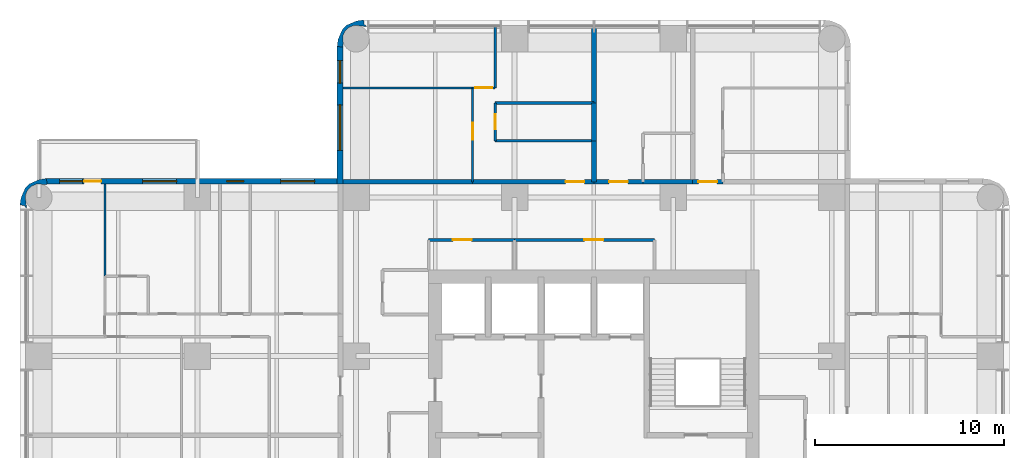
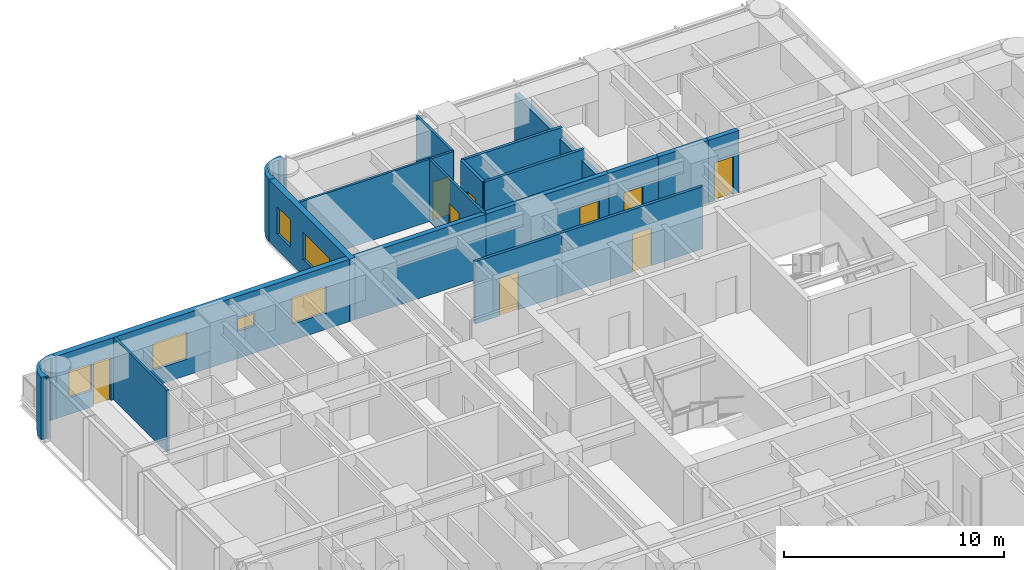
# One storey, part 9 of 11: 22 walls, 9 doors, 6 windows, 15 openings.
"""IFC4 building model written with IfcOpenShell, lengths in metres."""

from ifc_helpers import new_model, si_unit, direction, frame, frame_2d, origin, place, context, subcontext, project, spatial, polyline, rectangle, outline, extrude, material, layer, layer_set, type_object, element, fill, save


model = new_model("IFC4")

# Units and contexts
model_context = context("Model", 3, precision=1e-05, world=origin(), true_north=direction((0.0, 1.0)))
body_context = subcontext(model_context, "Body", "Model", "MODEL_VIEW")
ifc_project = project(units=[si_unit("LENGTHUNIT", "METRE"), si_unit("AREAUNIT", "SQUARE_METRE"), si_unit("VOLUMEUNIT", "CUBIC_METRE"), si_unit("PLANEANGLEUNIT", "RADIAN"), si_unit("MASSUNIT", "GRAM", prefix="KILO")], contexts=[model_context])

# Site, building, storey
site_placement = place(None, origin())
site = spatial("IfcSite", under=ifc_project, at=site_placement, CompositionType="ELEMENT")
building_placement = place(site_placement, origin())
building = spatial("IfcBuilding", under=site, at=building_placement, Name="Torre Alcanfor", CompositionType="ELEMENT")
storey_placement = place(building_placement, frame((0.0, 0.0, 204.89990234375)))
storey = spatial("IfcBuildingStorey", under=building, at=storey_placement, Name="L53", CompositionType="ELEMENT", Elevation=204.89990234375)

# Wall, opening, door
ifc_material_1 = material(Name="Concrete block masonry, hollow blocks NMX-C-404 9 MPa", Category="masonry")
ifc_layer_1 = layer(ifc_material_1, 0.25)
ifc_layer_set_1 = layer_set([ifc_layer_1], Name="Apartment entrance wall 250 EI 60")
wall_type_1 = type_object("IfcWallType", Name="Apartment entrance wall 250 EI 60", PredefinedType="PARTITIONING", material=ifc_layer_set_1)
wall_1_placement = place(storey_placement, frame((22.970947265625, 42.824951171875, 0.0), z_axis=(0.0, 0.0, 1.0), x_axis=(1.0, 0.0, 0.0)))
wall_1 = element("IfcWall", 1, at=wall_1_placement, inside=storey, type_object=wall_type_1, Name="Partition L53-CORR / L53-N1-LIVING", PredefinedType="PARTITIONING", context=body_context, shape_type="SweptSolid", body=[
    extrude(rectangle(XDim=6.428955078125, YDim=0.25, at=frame_2d((3.21435546875, 0.0))), origin(), (0.0, 0.0, 1.0), 3.4501953125),
])
opening_1_placement = place(wall_1_placement, frame((4.928955078125, 0.0, 0.0)))
opening_1 = element("IfcOpeningElement", 2, at=opening_1_placement, cuts=wall_1, Name="Opening D-A1", PredefinedType="OPENING", context=body_context, shape_type="SweptSolid", body=[
    extrude(rectangle(XDim=1.0, YDim=2.10009765625, at=frame_2d((0.5, 1.050048828125))), frame((0.0, 0.135009765625, 0.0), z_axis=(0.0, -1.0, 0.0), x_axis=(1.0, 0.0, 0.0)), (0.0, 0.0, 1.0), 0.27001953125),
])
ifc_material_2 = material(Name="Galvanised steel sheet ASTM A653", Category="steel")
door_type_1 = type_object("IfcDoorType", Name="Apartment entrance door FD60 1000x2100", OperationType="SINGLE_SWING_LEFT", PredefinedType="DOOR", material=ifc_material_2)
door_1_placement = place(opening_1_placement, origin())
door_1 = element("IfcDoor", 3, at=door_1_placement, inside=storey, type_object=door_type_1, Name="Apartment entrance L53-N1", OperationType="SINGLE_SWING_RIGHT", OverallHeight=2.10009765625, OverallWidth=1.0, PredefinedType="DOOR", context=body_context, shape_type="SweptSolid", body=[
    extrude(rectangle(XDim=1.0, YDim=2.10009765625, at=frame_2d((0.5, 1.050048828125))), frame((0.0, 0.02490234375, 0.0), z_axis=(0.0, -1.0, 0.0), x_axis=(1.0, 0.0, 0.0)), (0.0, 0.0, 1.0), 0.050048828125),
])
fill(opening_1, door_1)

# Wall
wall_2_placement = place(storey_placement, frame((16.10009765625, 42.824951171875, 0.0), z_axis=(0.0, 0.0, 1.0), x_axis=(1.0, 0.0, 0.0)))
element("IfcWall", 4, at=wall_2_placement, inside=storey, type_object=wall_type_1, Name="Partition L53-CORR / L53-N1-BED2", PredefinedType="PARTITIONING", context=body_context, shape_type="SweptSolid", body=[
    extrude(rectangle(XDim=6.870849609375, YDim=0.25, at=frame_2d((3.435546875, 0.0))), origin(), (0.0, 0.0, 1.0), 3.4501953125),
])

# Wall, opening, door
wall_3_placement = place(storey_placement, frame((29.39990234375, 42.824951171875, 0.0), z_axis=(0.0, 0.0, 1.0), x_axis=(1.0, 0.0, 0.0)))
wall_3 = element("IfcWall", 5, at=wall_3_placement, inside=storey, type_object=wall_type_1, Name="Partition L53-CORR / L53-N2A-STUDIO", PredefinedType="PARTITIONING", context=body_context, shape_type="SweptSolid", body=[
    extrude(rectangle(XDim=2.60009765625, YDim=0.25, at=frame_2d((1.300048828125, 0.0))), origin(), (0.0, 0.0, 1.0), 3.4501953125),
])
opening_2_placement = place(wall_3_placement, frame((0.800048828125, 0.0, 0.0)))
opening_2 = element("IfcOpeningElement", 6, at=opening_2_placement, cuts=wall_3, Name="Opening D-A1", PredefinedType="OPENING", context=body_context, shape_type="SweptSolid", body=[
    extrude(rectangle(XDim=1.0, YDim=2.10009765625, at=frame_2d((0.5, 1.050048828125))), frame((0.0, 0.135009765625, 0.0), z_axis=(0.0, -1.0, 0.0), x_axis=(1.0, 0.0, 0.0)), (0.0, 0.0, 1.0), 0.27001953125),
])
door_2_placement = place(opening_2_placement, origin())
door_2 = element("IfcDoor", 7, at=door_2_placement, inside=storey, type_object=door_type_1, Name="Apartment entrance L53-N2A", OperationType="SINGLE_SWING_LEFT", OverallHeight=2.10009765625, OverallWidth=1.0, PredefinedType="DOOR", context=body_context, shape_type="SweptSolid", body=[
    extrude(rectangle(XDim=1.0, YDim=2.10009765625, at=frame_2d((0.5, 1.050048828125))), frame((0.0, 0.02490234375, 0.0), z_axis=(0.0, -1.0, 0.0), x_axis=(1.0, 0.0, 0.0)), (0.0, 0.0, 1.0), 0.050048828125),
])
fill(opening_2, door_2)

# Wall
wall_4_placement = place(storey_placement, frame((32.0, 42.824951171875, 0.0), z_axis=(0.0, 0.0, 1.0), x_axis=(1.0, 0.0, 0.0)))
element("IfcWall", 8, at=wall_4_placement, inside=storey, type_object=wall_type_1, Name="Partition L53-CORR / L53-N2A-BATH", PredefinedType="PARTITIONING", context=body_context, shape_type="SweptSolid", body=[
    extrude(rectangle(XDim=2.62890625, YDim=0.25, at=frame_2d((1.314453125, 0.0))), origin(), (0.0, 0.0, 1.0), 3.4501953125),
])

# Wall, opening, door
wall_5_placement = place(storey_placement, frame((34.62890625, 42.824951171875, 0.0), z_axis=(0.0, 0.0, 1.0), x_axis=(1.0, 0.0, 0.0)))
wall_5 = element("IfcWall", 9, at=wall_5_placement, inside=storey, type_object=wall_type_1, Name="Partition L53-CORR / L53-N2B-LIVING", PredefinedType="PARTITIONING", context=body_context, shape_type="SweptSolid", body=[
    extrude(rectangle(XDim=1.60009765625, YDim=0.25, at=frame_2d((0.800048828125, 0.0))), origin(), (0.0, 0.0, 1.0), 3.4501953125),
])
opening_3_placement = place(wall_5_placement, frame((0.300048828125, 0.0, 0.0)))
opening_3 = element("IfcOpeningElement", 10, at=opening_3_placement, cuts=wall_5, Name="Opening D-A1", PredefinedType="OPENING", context=body_context, shape_type="SweptSolid", body=[
    extrude(rectangle(XDim=1.0, YDim=2.10009765625, at=frame_2d((0.5, 1.050048828125))), frame((0.0, 0.135009765625, 0.0), z_axis=(0.0, -1.0, 0.0), x_axis=(1.0, 0.0, 0.0)), (0.0, 0.0, 1.0), 0.27001953125),
])
door_3_placement = place(opening_3_placement, origin())
door_3 = element("IfcDoor", 11, at=door_3_placement, inside=storey, type_object=door_type_1, Name="Apartment entrance L53-N2B", OperationType="SINGLE_SWING_LEFT", OverallHeight=2.10009765625, OverallWidth=1.0, PredefinedType="DOOR", context=body_context, shape_type="SweptSolid", body=[
    extrude(rectangle(XDim=1.0, YDim=2.10009765625, at=frame_2d((0.5, 1.050048828125))), frame((0.0, 0.02490234375, 0.0), z_axis=(0.0, -1.0, 0.0), x_axis=(1.0, 0.0, 0.0)), (0.0, 0.0, 1.0), 0.050048828125),
])
fill(opening_3, door_3)

ifc_material_3 = material(Name="Gypsum board on steel studs", Category="steel")
ifc_layer_2 = layer(ifc_material_3, 0.1201171875)
ifc_layer_set_2 = layer_set([ifc_layer_2], Name="Apartment partition 120")
wall_type_2 = type_object("IfcWallType", Name="Apartment partition 120", PredefinedType="PARTITIONING", material=ifc_layer_set_2)
wall_6_placement = place(storey_placement, frame((22.970947265625, 42.824951171875, 0.0), z_axis=(0.0, 0.0, 1.0), x_axis=(0.0, 1.0, 0.0)))
wall_6 = element("IfcWall", 12, at=wall_6_placement, inside=storey, type_object=wall_type_2, Name="Partition L53-N1-LIVING / L53-N1-BED2", PredefinedType="PARTITIONING", context=body_context, shape_type="SweptSolid", body=[
    extrude(rectangle(XDim=4.97509765625, YDim=0.1201171875, at=frame_2d((2.487548828125, 0.0))), origin(), (0.0, 0.0, 1.0), 3.4501953125),
])
opening_4_placement = place(wall_6_placement, frame((2.22509765625, 0.0, 0.0)))
opening_4 = element("IfcOpeningElement", 13, at=opening_4_placement, cuts=wall_6, Name="Opening D-R1", PredefinedType="OPENING", context=body_context, shape_type="SweptSolid", body=[
    extrude(rectangle(XDim=0.89990234375, YDim=2.10009765625, at=frame_2d((0.449951171875, 1.050048828125))), frame((0.0, 0.070068359375, 0.0), z_axis=(0.0, -1.0, 0.0), x_axis=(1.0, 0.0, 0.0)), (0.0, 0.0, 1.0), 0.14013671875),
])
ifc_material_4 = material(Name="Timber", Category="wood")
door_type_2 = type_object("IfcDoorType", Name="Internal door 900x2100", OperationType="SINGLE_SWING_LEFT", PredefinedType="DOOR", material=ifc_material_4)
door_4_placement = place(opening_4_placement, origin())
door_4 = element("IfcDoor", 14, at=door_4_placement, inside=storey, type_object=door_type_2, Name="Door L53-N1 bed2", OperationType="SINGLE_SWING_RIGHT", OverallHeight=2.10009765625, OverallWidth=0.89990234375, PredefinedType="DOOR", context=body_context, shape_type="SweptSolid", body=[
    extrude(rectangle(XDim=0.89990234375, YDim=2.10009765625, at=frame_2d((0.449951171875, 1.050048828125))), frame((0.0, 0.02490234375, 0.0), z_axis=(0.0, -1.0, 0.0), x_axis=(1.0, 0.0, 0.0)), (0.0, 0.0, 1.0), 0.050048828125),
])
fill(opening_4, door_4)

wall_7_placement = place(storey_placement, frame((22.970947265625, 47.800048828125, 0.0), z_axis=(0.0, 0.0, 1.0), x_axis=(1.0, 0.0, 0.0)))
wall_7 = element("IfcWall", 15, at=wall_7_placement, inside=storey, type_object=wall_type_2, Name="Partition L53-N1-LIVING / L53-N1-MASTER", PredefinedType="PARTITIONING", context=body_context, shape_type="SweptSolid", body=[
    extrude(rectangle(XDim=1.199951171875, YDim=0.1201171875, at=frame_2d((0.60009765625, 0.0))), origin(), (0.0, 0.0, 1.0), 3.4501953125),
])
opening_5_placement = place(wall_7_placement, frame((0.14892578125, 0.0, 0.0)))
opening_5 = element("IfcOpeningElement", 16, at=opening_5_placement, cuts=wall_7, Name="Opening D-R1", PredefinedType="OPENING", context=body_context, shape_type="SweptSolid", body=[
    extrude(rectangle(XDim=0.89990234375, YDim=2.10009765625, at=frame_2d((0.449951171875, 1.050048828125))), frame((0.0, 0.070068359375, 0.0), z_axis=(0.0, -1.0, 0.0), x_axis=(1.0, 0.0, 0.0)), (0.0, 0.0, 1.0), 0.14013671875),
])
door_5_placement = place(opening_5_placement, origin())
door_5 = element("IfcDoor", 17, at=door_5_placement, inside=storey, type_object=door_type_2, Name="Door L53-N1 master", OperationType="SINGLE_SWING_RIGHT", OverallHeight=2.10009765625, OverallWidth=0.89990234375, PredefinedType="DOOR", context=body_context, shape_type="SweptSolid", body=[
    extrude(rectangle(XDim=0.89990234375, YDim=2.10009765625, at=frame_2d((0.449951171875, 1.050048828125))), frame((0.0, 0.02490234375, 0.0), z_axis=(0.0, -1.0, 0.0), x_axis=(1.0, 0.0, 0.0)), (0.0, 0.0, 1.0), 0.050048828125),
])
fill(opening_5, door_5)

# Walls
wall_8_placement = place(storey_placement, frame((24.1708984375, 47.800048828125, 0.0), z_axis=(0.0, 0.0, 1.0), x_axis=(0.0, 1.0, 0.0)))
element("IfcWall", 18, at=wall_8_placement, inside=storey, type_object=wall_type_2, Name="Partition L53-N1-LIVING / L53-N1-MASTER", PredefinedType="PARTITIONING", context=body_context, shape_type="SweptSolid", body=[
    extrude(rectangle(XDim=3.25, YDim=0.1201171875, at=frame_2d((1.625, 0.0))), origin(), (0.0, 0.0, 1.0), 3.4501953125),
])
wall_9_placement = place(storey_placement, frame((22.970947265625, 47.800048828125, 0.0), z_axis=(0.0, 0.0, 1.0), x_axis=(-1.0, 0.0, 0.0)))
element("IfcWall", 19, at=wall_9_placement, inside=storey, type_object=wall_type_2, Name="Partition L53-N1-BED2 / L53-N1-MASTER", PredefinedType="PARTITIONING", context=body_context, shape_type="SweptSolid", body=[
    extrude(rectangle(XDim=6.870849609375, YDim=0.1201171875, at=frame_2d((3.435546875, 0.0))), origin(), (0.0, 0.0, 1.0), 3.4501953125),
])
wall_10_placement = place(storey_placement, frame((3.5, 37.8291015625, 0.0), z_axis=(0.0, 0.0, 1.0), x_axis=(0.0, 1.0, 0.0)))
element("IfcWall", 20, at=wall_10_placement, inside=storey, type_object=wall_type_2, Name="Partition L53-W2-MASTER / L53-W2-WGARD", PredefinedType="PARTITIONING", context=body_context, shape_type="SweptSolid", body=[
    extrude(rectangle(XDim=4.870849609375, YDim=0.1201171875, at=frame_2d((2.435546875, 0.0))), origin(), (0.0, 0.0, 1.0), 3.4501953125),
])

# Wall, openings, door, windows
ifc_material_5 = material(Name="Limestone cladding", Category="masonry")
ifc_layer_3 = layer(ifc_material_5, 0.0400390625, Name="Facing")
ifc_material_6 = material(Name="Ventilated air cavity")
ifc_layer_4 = layer(ifc_material_6, 0.02001953125, ventilated=True, Name="Ventilated joint")
ifc_material_7 = material(Name="Mineral wool insulation", Category="insulation")
ifc_layer_5 = layer(ifc_material_7, 0.10009765625, Name="Insulation")
ifc_material_8 = material(Name="Concrete f'c 35 MPa", Category="concrete")
ifc_layer_6 = layer(ifc_material_8, 0.139892578125, Name="Backing")
ifc_layer_set_3 = layer_set([ifc_layer_3, ifc_layer_4, ifc_layer_5, ifc_layer_6], Name="External wall stone-clad 300")
wall_type_3 = type_object("IfcWallType", Name="External wall stone-clad 300", PredefinedType="SOLIDWALL", material=ifc_layer_set_3)
wall_11_placement = place(storey_placement, frame((15.800048828125, 42.85009765625, 0.0), z_axis=(0.0, 0.0, 1.0), x_axis=(-1.0, 0.0, 0.0)))
wall_11 = element("IfcWall", 21, at=wall_11_placement, inside=storey, type_object=wall_type_3, Name="External wall L53 1", PredefinedType="SOLIDWALL", context=body_context, shape_type="SweptSolid", body=[
    extrude(rectangle(XDim=15.400146484375, YDim=0.300048828125, at=frame_2d((7.7001953125, 0.0))), origin(), (0.0, 0.0, 1.0), 3.4501953125),
])
opening_6_placement = place(wall_11_placement, frame((1.199951171875, 0.0, 0.89990234375)))
opening_6 = element("IfcOpeningElement", 22, at=opening_6_placement, cuts=wall_11, Name="Opening W2", PredefinedType="OPENING", context=body_context, shape_type="SweptSolid", body=[
    extrude(rectangle(XDim=1.800048828125, YDim=1.5, at=frame_2d((0.89990234375, 0.75))), frame((0.0, 0.159912109375, 0.0), z_axis=(0.0, -1.0, 0.0), x_axis=(1.0, 0.0, 0.0)), (0.0, 0.0, 1.0), 0.320068359375),
])
opening_7_placement = place(wall_11_placement, frame((4.949951171875, 0.0, 1.5)))
opening_7 = element("IfcOpeningElement", 23, at=opening_7_placement, cuts=wall_11, Name="Opening W3", PredefinedType="OPENING", context=body_context, shape_type="SweptSolid", body=[
    extrude(rectangle(XDim=0.89990234375, YDim=0.699951171875, at=frame_2d((0.449951171875, 0.35009765625))), frame((0.0, 0.159912109375, 0.0), z_axis=(0.0, -1.0, 0.0), x_axis=(1.0, 0.0, 0.0)), (0.0, 0.0, 1.0), 0.320068359375),
])
opening_8_placement = place(wall_11_placement, frame((8.5, 0.0, 0.89990234375)))
opening_8 = element("IfcOpeningElement", 24, at=opening_8_placement, cuts=wall_11, Name="Opening W2", PredefinedType="OPENING", context=body_context, shape_type="SweptSolid", body=[
    extrude(rectangle(XDim=1.800048828125, YDim=1.5, at=frame_2d((0.89990234375, 0.75))), frame((0.0, 0.159912109375, 0.0), z_axis=(0.0, -1.0, 0.0), x_axis=(1.0, 0.0, 0.0)), (0.0, 0.0, 1.0), 0.320068359375),
])
opening_9_placement = place(wall_11_placement, frame((12.5, 0.0, 0.0)))
opening_9 = element("IfcOpeningElement", 25, at=opening_9_placement, cuts=wall_11, Name="Opening D-B1", PredefinedType="OPENING", context=body_context, shape_type="SweptSolid", body=[
    extrude(rectangle(XDim=0.89990234375, YDim=2.39990234375, at=frame_2d((0.449951171875, 1.199951171875))), frame((0.0, 0.159912109375, 0.0), z_axis=(0.0, -1.0, 0.0), x_axis=(1.0, 0.0, 0.0)), (0.0, 0.0, 1.0), 0.320068359375),
])
opening_10_placement = place(wall_11_placement, frame((13.5, 0.0, 0.89990234375)))
opening_10 = element("IfcOpeningElement", 26, at=opening_10_placement, cuts=wall_11, Name="Opening W4", PredefinedType="OPENING", context=body_context, shape_type="SweptSolid", body=[
    extrude(rectangle(XDim=1.199951171875, YDim=1.5, at=frame_2d((0.60009765625, 0.75))), frame((0.0, 0.159912109375, 0.0), z_axis=(0.0, -1.0, 0.0), x_axis=(1.0, 0.0, 0.0)), (0.0, 0.0, 1.0), 0.320068359375),
])
ifc_material_9 = material(Name="Aluminium and glass", Category="aluminium")
door_type_3 = type_object("IfcDoorType", Name="Balcony door glazed 900x2400", OperationType="SINGLE_SWING_LEFT", PredefinedType="DOOR", material=ifc_material_9)
door_6_placement = place(opening_9_placement, origin())
door_6 = element("IfcDoor", 27, at=door_6_placement, inside=storey, type_object=door_type_3, Name="Balcony door L53-W2", OperationType="SINGLE_SWING_LEFT", OverallHeight=2.39990234375, OverallWidth=0.89990234375, PredefinedType="DOOR", context=body_context, shape_type="SweptSolid", body=[
    extrude(rectangle(XDim=0.89990234375, YDim=2.39990234375, at=frame_2d((0.449951171875, 1.199951171875))), frame((0.0, 0.02490234375, 0.0), z_axis=(0.0, -1.0, 0.0), x_axis=(1.0, 0.0, 0.0)), (0.0, 0.0, 1.0), 0.050048828125),
])
fill(opening_9, door_6)
ifc_material_10 = material(Name="Aluminium frame with clear double glazing", Category="aluminium")
window_type_1 = type_object("IfcWindowType", Name="Window bathroom 900x700", PartitioningType="SINGLE_PANEL", PredefinedType="WINDOW", material=ifc_material_10)
window_1_placement = place(opening_7_placement, origin())
window_1 = element("IfcWindow", 28, at=window_1_placement, inside=storey, type_object=window_type_1, Name="Window W3 L53-W2", OverallHeight=0.699951171875, OverallWidth=0.89990234375, PartitioningType="SINGLE_PANEL", PredefinedType="WINDOW", context=body_context, shape_type="SweptSolid", body=[
    extrude(rectangle(XDim=0.89990234375, YDim=0.699951171875, at=frame_2d((0.449951171875, 0.35009765625))), frame((0.0, 0.030029296875, 0.0), z_axis=(0.0, -1.0, 0.0), x_axis=(1.0, 0.0, 0.0)), (0.0, 0.0, 1.0), 0.06005859375),
])
fill(opening_7, window_1)
ifc_material_11 = material(Name="Aluminium frame with clear double glazing", Category="aluminium")
window_type_2 = type_object("IfcWindowType", Name="Window bedroom 1200x1500", PartitioningType="SINGLE_PANEL", PredefinedType="WINDOW", material=ifc_material_11)
window_2_placement = place(opening_10_placement, origin())
window_2 = element("IfcWindow", 29, at=window_2_placement, inside=storey, type_object=window_type_2, Name="Window W4 L53-W2", OverallHeight=1.5, OverallWidth=1.199951171875, PartitioningType="SINGLE_PANEL", PredefinedType="WINDOW", context=body_context, shape_type="SweptSolid", body=[
    extrude(rectangle(XDim=1.199951171875, YDim=1.5, at=frame_2d((0.60009765625, 0.75))), frame((0.0, 0.030029296875, 0.0), z_axis=(0.0, -1.0, 0.0), x_axis=(1.0, 0.0, 0.0)), (0.0, 0.0, 1.0), 0.06005859375),
])
fill(opening_10, window_2)
ifc_material_12 = material(Name="Aluminium frame with clear double glazing", Category="aluminium")
window_type_3 = type_object("IfcWindowType", Name="Window bedroom 1800x1500", PartitioningType="SINGLE_PANEL", PredefinedType="WINDOW", material=ifc_material_12)
window_3_placement = place(opening_6_placement, origin())
window_3 = element("IfcWindow", 30, at=window_3_placement, inside=storey, type_object=window_type_3, Name="Window W2 L53-W2", OverallHeight=1.5, OverallWidth=1.800048828125, PartitioningType="SINGLE_PANEL", PredefinedType="WINDOW", context=body_context, shape_type="SweptSolid", body=[
    extrude(rectangle(XDim=1.800048828125, YDim=1.5, at=frame_2d((0.89990234375, 0.75))), frame((0.0, 0.030029296875, 0.0), z_axis=(0.0, -1.0, 0.0), x_axis=(1.0, 0.0, 0.0)), (0.0, 0.0, 1.0), 0.06005859375),
])
fill(opening_6, window_3)
window_4_placement = place(opening_8_placement, origin())
window_4 = element("IfcWindow", 31, at=window_4_placement, inside=storey, type_object=window_type_3, Name="Window W2 L53-W2", OverallHeight=1.5, OverallWidth=1.800048828125, PartitioningType="SINGLE_PANEL", PredefinedType="WINDOW", context=body_context, shape_type="SweptSolid", body=[
    extrude(rectangle(XDim=1.800048828125, YDim=1.5, at=frame_2d((0.89990234375, 0.75))), frame((0.0, 0.030029296875, 0.0), z_axis=(0.0, -1.0, 0.0), x_axis=(1.0, 0.0, 0.0)), (0.0, 0.0, 1.0), 0.06005859375),
])
fill(opening_8, window_4)

# Wall, openings, windows
wall_12_placement = place(storey_placement, frame((15.949951171875, 50.0, 0.0), z_axis=(0.0, 0.0, 1.0), x_axis=(0.0, -1.0, 0.0)))
wall_12 = element("IfcWall", 32, at=wall_12_placement, inside=storey, type_object=wall_type_3, Name="External wall L53 12", PredefinedType="SOLIDWALL", context=body_context, shape_type="SweptSolid", body=[
    extrude(rectangle(XDim=7.300048828125, YDim=0.300048828125, at=frame_2d((3.64990234375, 0.0))), origin(), (0.0, 0.0, 1.0), 3.4501953125),
])
opening_11_placement = place(wall_12_placement, frame((3.10009765625, 0.0, 0.89990234375)))
opening_11 = element("IfcOpeningElement", 33, at=opening_11_placement, cuts=wall_12, Name="Opening W1", PredefinedType="OPENING", context=body_context, shape_type="SweptSolid", body=[
    extrude(rectangle(XDim=2.39990234375, YDim=1.5, at=frame_2d((1.199951171875, 0.75))), frame((0.0, 0.159912109375, 0.0), z_axis=(0.0, -1.0, 0.0), x_axis=(1.0, 0.0, 0.0)), (0.0, 0.0, 1.0), 0.320068359375),
])
opening_12_placement = place(wall_12_placement, frame((0.75, 0.0, 0.89990234375)))
opening_12 = element("IfcOpeningElement", 34, at=opening_12_placement, cuts=wall_12, Name="Opening W4", PredefinedType="OPENING", context=body_context, shape_type="SweptSolid", body=[
    extrude(rectangle(XDim=1.199951171875, YDim=1.5, at=frame_2d((0.60009765625, 0.75))), frame((0.0, 0.159912109375, 0.0), z_axis=(0.0, -1.0, 0.0), x_axis=(1.0, 0.0, 0.0)), (0.0, 0.0, 1.0), 0.320068359375),
])
window_5_placement = place(opening_12_placement, origin())
window_5 = element("IfcWindow", 35, at=window_5_placement, inside=storey, type_object=window_type_2, Name="Window W4 L53-N1", OverallHeight=1.5, OverallWidth=1.199951171875, PartitioningType="SINGLE_PANEL", PredefinedType="WINDOW", context=body_context, shape_type="SweptSolid", body=[
    extrude(rectangle(XDim=1.199951171875, YDim=1.5, at=frame_2d((0.60009765625, 0.75))), frame((0.0, 0.030029296875, 0.0), z_axis=(0.0, -1.0, 0.0), x_axis=(1.0, 0.0, 0.0)), (0.0, 0.0, 1.0), 0.06005859375),
])
fill(opening_12, window_5)
ifc_material_13 = material(Name="Aluminium frame with clear double glazing", Category="aluminium")
window_type_4 = type_object("IfcWindowType", Name="Window bedroom 2400x1500", PartitioningType="SINGLE_PANEL", PredefinedType="WINDOW", material=ifc_material_13)
window_6_placement = place(opening_11_placement, origin())
window_6 = element("IfcWindow", 36, at=window_6_placement, inside=storey, type_object=window_type_4, Name="Window W1 L53-N1", OverallHeight=1.5, OverallWidth=2.39990234375, PartitioningType="SINGLE_PANEL", PredefinedType="WINDOW", context=body_context, shape_type="SweptSolid", body=[
    extrude(rectangle(XDim=2.39990234375, YDim=1.5, at=frame_2d((1.199951171875, 0.75))), frame((0.0, 0.030029296875, 0.0), z_axis=(0.0, -1.0, 0.0), x_axis=(1.0, 0.0, 0.0)), (0.0, 0.0, 1.0), 0.06005859375),
])
fill(opening_11, window_6)

# Walls
ifc_material_14 = material(Name="Concrete block masonry, hollow blocks NMX-C-404 9 MPa", Category="masonry")
ifc_layer_7 = layer(ifc_material_14, 0.25)
ifc_layer_set_4 = layer_set([ifc_layer_7], Name="Party wall 250 EI 60")
wall_type_4 = type_object("IfcWallType", Name="Party wall 250 EI 60", PredefinedType="PARTITIONING", material=ifc_layer_set_4)
wall_13_placement = place(storey_placement, frame((29.39990234375, 45.0, 0.0), z_axis=(0.0, 0.0, 1.0), x_axis=(0.0, 1.0, 0.0)))
element("IfcWall", 37, at=wall_13_placement, inside=storey, type_object=wall_type_4, Name="Partition L53-N1-BATH / L53-N2A-STUDIO", PredefinedType="PARTITIONING", context=body_context, shape_type="SweptSolid", body=[
    extrude(rectangle(XDim=2.0, YDim=0.25, at=frame_2d((1.0, 0.0))), origin(), (0.0, 0.0, 1.0), 2.84814453125),
])
wall_14_placement = place(storey_placement, frame((29.39990234375, 45.0, 0.0), z_axis=(0.0, 0.0, 1.0), x_axis=(0.0, -1.0, 0.0)))
element("IfcWall", 38, at=wall_14_placement, inside=storey, type_object=wall_type_4, Name="Partition L53-N1-LIVING / L53-N2A-STUDIO", PredefinedType="PARTITIONING", context=body_context, shape_type="SweptSolid", body=[
    extrude(rectangle(XDim=2.175048828125, YDim=0.25, at=frame_2d((1.08740234375, 0.0))), origin(), (0.0, 0.0, 1.0), 2.84814453125),
])
wall_15_placement = place(storey_placement, frame((29.39990234375, 51.050048828125, 0.0), z_axis=(0.0, 0.0, 1.0), x_axis=(0.0, -1.0, 0.0)))
element("IfcWall", 39, at=wall_15_placement, inside=storey, type_object=wall_type_4, Name="Partition L53-N1-LIVING / L53-N2A-STUDIO", PredefinedType="PARTITIONING", context=body_context, shape_type="SweptSolid", body=[
    extrude(rectangle(XDim=4.050048828125, YDim=0.25, at=frame_2d((2.02490234375, 0.0))), origin(), (0.0, 0.0, 1.0), 2.84814453125),
])

# Wall, opening, door
ifc_material_15 = material(Name="Concrete block masonry, hollow blocks NMX-C-404 9 MPa", Category="masonry")
ifc_layer_8 = layer(ifc_material_15, 0.14990234375)
ifc_layer_set_5 = layer_set([ifc_layer_8], Name="Residents' room partition 150")
wall_type_5 = type_object("IfcWallType", Name="Residents' room partition 150", PredefinedType="PARTITIONING", material=ifc_layer_set_5)
wall_16_placement = place(storey_placement, frame((25.199951171875, 39.75, 0.0), z_axis=(0.0, 0.0, 1.0), x_axis=(-1.0, 0.0, 0.0)))
wall_16 = element("IfcWall", 40, at=wall_16_placement, inside=storey, type_object=wall_type_5, Name="Partition L53-CORR / L53-G01", PredefinedType="PARTITIONING", context=body_context, shape_type="SweptSolid", body=[
    extrude(rectangle(XDim=4.550048828125, YDim=0.14990234375, at=frame_2d((2.27490234375, 0.0))), origin(), (0.0, 0.0, 1.0), 3.4501953125),
])
opening_13_placement = place(wall_16_placement, frame((2.27490234375, 0.0, 0.0)))
opening_13 = element("IfcOpeningElement", 41, at=opening_13_placement, cuts=wall_16, Name="Opening D-M1", PredefinedType="OPENING", context=body_context, shape_type="SweptSolid", body=[
    extrude(rectangle(XDim=1.0, YDim=2.10009765625, at=frame_2d((0.5, 1.050048828125))), frame((0.0, 0.0849609375, 0.0), z_axis=(0.0, -1.0, 0.0), x_axis=(1.0, 0.0, 0.0)), (0.0, 0.0, 1.0), 0.169921875),
])
ifc_material_16 = material(Name="Timber", Category="wood")
door_type_4 = type_object("IfcDoorType", Name="Residents' room door 1000x2100", OperationType="SINGLE_SWING_LEFT", PredefinedType="DOOR", material=ifc_material_16)
door_7_placement = place(opening_13_placement, origin())
door_7 = element("IfcDoor", 42, at=door_7_placement, inside=storey, type_object=door_type_4, Name="Door L53-G01 residents' lockers", OperationType="SINGLE_SWING_RIGHT", OverallHeight=2.10009765625, OverallWidth=1.0, PredefinedType="DOOR", context=body_context, shape_type="SweptSolid", body=[
    extrude(rectangle(XDim=1.0, YDim=2.10009765625, at=frame_2d((0.5, 1.050048828125))), frame((0.0, 0.02490234375, 0.0), z_axis=(0.0, -1.0, 0.0), x_axis=(1.0, 0.0, 0.0)), (0.0, 0.0, 1.0), 0.050048828125),
])
fill(opening_13, door_7)

wall_17_placement = place(storey_placement, frame((32.60009765625, 39.75, 0.0), z_axis=(0.0, 0.0, 1.0), x_axis=(-1.0, 0.0, 0.0)))
wall_17 = element("IfcWall", 43, at=wall_17_placement, inside=storey, type_object=wall_type_5, Name="Partition L53-CORR / L53-G02", PredefinedType="PARTITIONING", context=body_context, shape_type="SweptSolid", body=[
    extrude(rectangle(XDim=7.400146484375, YDim=0.14990234375, at=frame_2d((3.7001953125, 0.0))), origin(), (0.0, 0.0, 1.0), 3.4501953125),
])
opening_14_placement = place(wall_17_placement, frame((2.699951171875, 0.0, 0.0)))
opening_14 = element("IfcOpeningElement", 44, at=opening_14_placement, cuts=wall_17, Name="Opening D-M1", PredefinedType="OPENING", context=body_context, shape_type="SweptSolid", body=[
    extrude(rectangle(XDim=1.0, YDim=2.10009765625, at=frame_2d((0.5, 1.050048828125))), frame((0.0, 0.0849609375, 0.0), z_axis=(0.0, -1.0, 0.0), x_axis=(1.0, 0.0, 0.0)), (0.0, 0.0, 1.0), 0.169921875),
])
door_8_placement = place(opening_14_placement, origin())
door_8 = element("IfcDoor", 45, at=door_8_placement, inside=storey, type_object=door_type_4, Name="Door L53-G02 residents' lockers", OperationType="SINGLE_SWING_LEFT", OverallHeight=2.10009765625, OverallWidth=1.0, PredefinedType="DOOR", context=body_context, shape_type="SweptSolid", body=[
    extrude(rectangle(XDim=1.0, YDim=2.10009765625, at=frame_2d((0.5, 1.050048828125))), frame((0.0, 0.02490234375, 0.0), z_axis=(0.0, -1.0, 0.0), x_axis=(1.0, 0.0, 0.0)), (0.0, 0.0, 1.0), 0.050048828125),
])
fill(opening_14, door_8)

# Walls
ifc_layer_9 = layer(ifc_material_5, 0.0400390625, Name="Facing")
ifc_layer_10 = layer(ifc_material_6, 0.02001953125, ventilated=True, Name="Ventilated joint")
ifc_layer_11 = layer(ifc_material_7, 0.10009765625, Name="Insulation")
ifc_layer_12 = layer(ifc_material_8, 0.139892578125, Name="Backing")
ifc_layer_set_6 = layer_set([ifc_layer_9, ifc_layer_10, ifc_layer_11, ifc_layer_12], Name="Rounded corner pier stone-clad 300")
wall_type_6 = type_object("IfcWallType", Name="Rounded corner pier stone-clad 300", PredefinedType="SOLIDWALL", material=ifc_layer_set_6)
wall_18_placement = place(storey_placement, frame((0.289684728, 42.724211819, 0.0), z_axis=(0.0, 0.0, 1.0), x_axis=(-0.898030234854, 0.439933741929, 0.0)))
element("IfcWall", 46, at=wall_18_placement, inside=storey, type_object=wall_type_6, Name="Corner pier L53 13", PredefinedType="SOLIDWALL", context=body_context, shape_type="SweptSolid", body=[
    extrude(outline(polyline([(-0.1451696260029872, -0.04410137667948781), (0.022349775089968618, -0.29615457307685267), (0.3267662274453961, -0.09401161193946184), (0.5684395137438579, 0.1801582341686725), (0.5775438768187978, 0.19875519044837203), (0.6998681881563861, 0.337520421761322), (0.8105897526086489, 0.6609052696654318), (0.798987005723323, 0.8455248862565916), (0.8031915983754734, 0.8657994419976891), (0.7802772818432999, 1.230559659021311), (0.6636401292003462, 1.5768643338748296), (0.426274926498842, 1.4970116570996908), (0.3818262033461368, 1.5361339555879763), (0.27609856791259557, 1.5721508582913652), (0.34924184873618547, 1.4228445619203098), (0.3919947529834039, 1.4437886731693554), (0.4531844604451624, 1.2611683721887113), (0.5096660727895201, 1.2113572307370708), (0.632323380719828, 0.9609786838123349), (0.6499334439144826, 0.6825189735513317), (0.5596785928912745, 0.41891132480525434), (0.37509146330548054, 0.2096805523179385), (0.12471291638074464, 0.0870232443876307), (0.04955403003282338, 0.08228360846554762), (-0.12741072731568104, -0.035401515083730434), (-0.1451696260029872, -0.04410137667948781)])), origin(), (0.0, 0.0, 1.0), 3.4501953125),
])
wall_19_placement = place(storey_placement, frame((17.312325495, 50.98815184, 0.0), z_axis=(0.0, 0.0, 1.0), x_axis=(-0.439933741929, 0.898030234854, 0.0)))
element("IfcWall", 47, at=wall_19_placement, inside=storey, type_object=wall_type_6, Name="Corner pier L53 20", PredefinedType="SOLIDWALL", context=body_context, shape_type="SweptSolid", body=[
    extrude(outline(polyline([(0.1377143835604198, -0.039385181817258766), (0.1818364553516057, -0.0003747232930663008), (0.4192016580531099, -0.08022740006820503), (0.5358388106960636, 0.26607727478531357), (0.5587531272282371, 0.6308374918089354), (0.5545485345760868, 0.6511120475500328), (0.5663705271242188, 0.8356242584424797), (0.45553712270786306, 1.1593357577081085), (0.33310540567156155, 1.2978817433582523), (0.3240010425966217, 1.316478699637952), (0.08232775629815992, 1.5906485457460864), (-0.22208869605726766, 1.7927915068834772), (-0.3896080971502234, 1.5407383104861123), (-0.3718491984629172, 1.532038448890355), (-0.1945577897528935, 1.41446516530517), (-0.1197255547664915, 1.4096136894189937), (0.13065299215824444, 1.286956381488686), (0.3152401217440383, 1.07772560900137), (0.4057142184300525, 0.8140105545565798), (0.3881041552353981, 0.5355508442955765), (0.26544684730509027, 0.28517229737084054), (0.20907264065944553, 0.23558040158200633), (0.14755628183616776, 0.052848260637269044), (0.10502262325175554, 0.07368496618760154), (0.031879342428165675, -0.0756213301834538), (0.1377143835604198, -0.039385181817258766)])), origin(), (0.0, 0.0, 1.0), 3.4501953125),
])
ifc_material_17 = material(Name="Cement board on steel studs", Category="steel")
ifc_layer_13 = layer(ifc_material_17, 0.14990234375)
ifc_layer_set_7 = layer_set([ifc_layer_13], Name="Wet area partition 150")
wall_type_7 = type_object("IfcWallType", Name="Wet area partition 150", PredefinedType="PARTITIONING", material=ifc_layer_set_7)
wall_20_placement = place(storey_placement, frame((29.39990234375, 47.0, 0.0), z_axis=(0.0, 0.0, 1.0), x_axis=(-1.0, 0.0, 0.0)))
element("IfcWall", 48, at=wall_20_placement, inside=storey, type_object=wall_type_7, Name="Partition L53-N1-BATH / L53-N1-LIVING", PredefinedType="PARTITIONING", context=body_context, shape_type="SweptSolid", body=[
    extrude(rectangle(XDim=5.22900390625, YDim=0.14990234375, at=frame_2d((2.614501953125, 0.0))), origin(), (0.0, 0.0, 1.0), 3.4501953125),
])

# Wall, opening, door
wall_21_placement = place(storey_placement, frame((24.1708984375, 47.0, 0.0), z_axis=(0.0, 0.0, 1.0), x_axis=(0.0, -1.0, 0.0)))
wall_21 = element("IfcWall", 49, at=wall_21_placement, inside=storey, type_object=wall_type_7, Name="Partition L53-N1-BATH / L53-N1-LIVING", PredefinedType="PARTITIONING", context=body_context, shape_type="SweptSolid", body=[
    extrude(rectangle(XDim=2.0, YDim=0.14990234375, at=frame_2d((1.0, 0.0))), origin(), (0.0, 0.0, 1.0), 3.4501953125),
])
opening_15_placement = place(wall_21_placement, frame((0.60009765625, 0.0, 0.0)))
opening_15 = element("IfcOpeningElement", 50, at=opening_15_placement, cuts=wall_21, Name="Opening D-R2", PredefinedType="OPENING", context=body_context, shape_type="SweptSolid", body=[
    extrude(rectangle(XDim=0.800048828125, YDim=2.10009765625, at=frame_2d((0.39990234375, 1.050048828125))), frame((0.0, 0.0849609375, 0.0), z_axis=(0.0, -1.0, 0.0), x_axis=(1.0, 0.0, 0.0)), (0.0, 0.0, 1.0), 0.169921875),
])
ifc_material_18 = material(Name="Timber", Category="wood")
door_type_5 = type_object("IfcDoorType", Name="Bathroom door 800x2100", OperationType="SINGLE_SWING_LEFT", PredefinedType="DOOR", material=ifc_material_18)
door_9_placement = place(opening_15_placement, origin())
door_9 = element("IfcDoor", 51, at=door_9_placement, inside=storey, type_object=door_type_5, Name="Door L53-N1 bath", OperationType="SINGLE_SWING_LEFT", OverallHeight=2.10009765625, OverallWidth=0.800048828125, PredefinedType="DOOR", context=body_context, shape_type="SweptSolid", body=[
    extrude(rectangle(XDim=0.800048828125, YDim=2.10009765625, at=frame_2d((0.39990234375, 1.050048828125))), frame((0.0, 0.02490234375, 0.0), z_axis=(0.0, -1.0, 0.0), x_axis=(1.0, 0.0, 0.0)), (0.0, 0.0, 1.0), 0.050048828125),
])
fill(opening_15, door_9)

# Wall
wall_22_placement = place(storey_placement, frame((24.1708984375, 45.0, 0.0), z_axis=(0.0, 0.0, 1.0), x_axis=(1.0, 0.0, 0.0)))
element("IfcWall", 52, at=wall_22_placement, inside=storey, type_object=wall_type_7, Name="Partition L53-N1-BATH / L53-N1-LIVING", PredefinedType="PARTITIONING", context=body_context, shape_type="SweptSolid", body=[
    extrude(rectangle(XDim=5.22900390625, YDim=0.14990234375, at=frame_2d((2.614501953125, 0.0))), origin(), (0.0, 0.0, 1.0), 3.4501953125),
])

save(model, "model.ifc")
